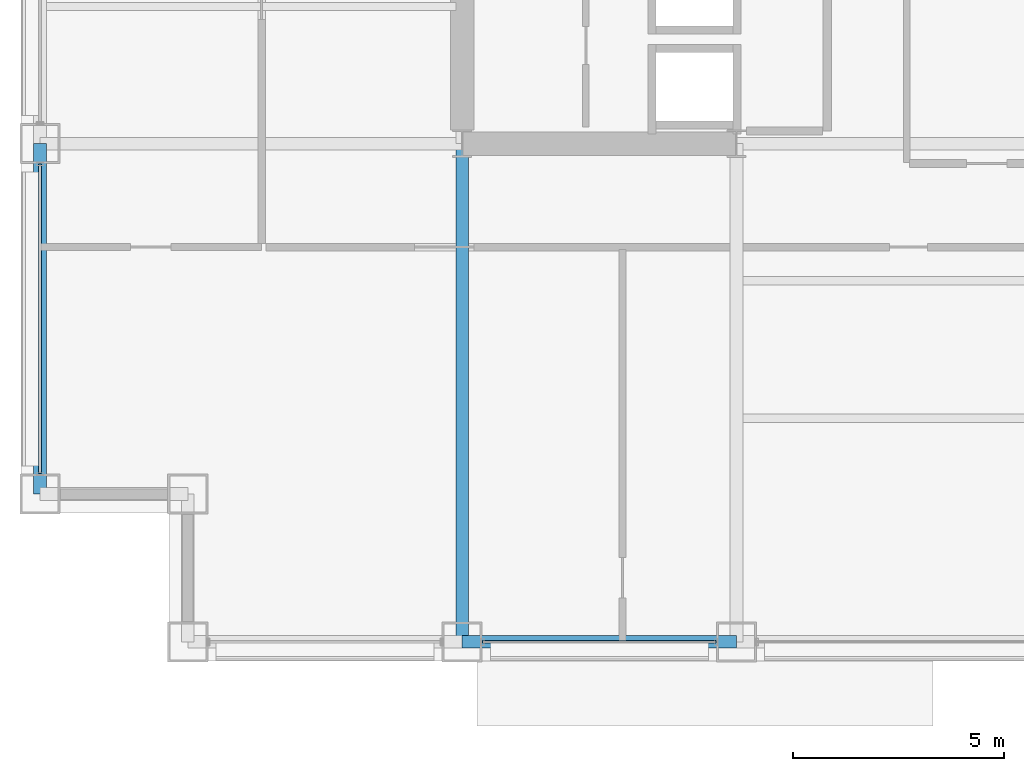
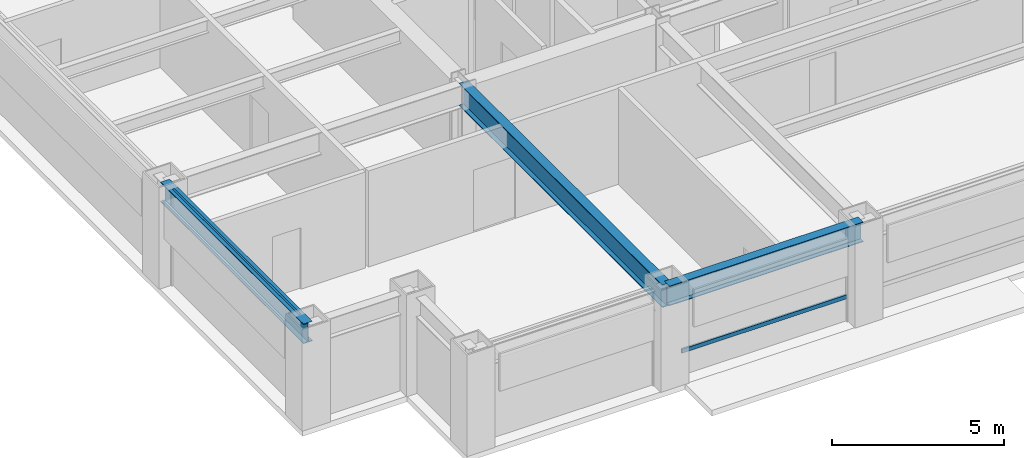
# One storey, part 3 of 28: 3 beams, 2 members, 2 elements without a shape of their own.
"""IFC4 building model written with IfcOpenShell, lengths in metres."""

from ifc_helpers import new_model, si_unit, direction, frame, origin, origin_2d, place, context, subcontext, project, spatial, hollow_rectangle, i_section, extrude, material, layer, layer_set, material_profile, profile_set, type_object, element, aggregate, save


model = new_model("IFC4")

# Units and contexts
model_context = context("Model", 3, precision=1e-05, world=origin(), true_north=direction((0.0, 1.0)))
body_context = subcontext(model_context, "Body", "Model", "MODEL_VIEW")
ifc_project = project(units=[si_unit("LENGTHUNIT", "METRE"), si_unit("AREAUNIT", "SQUARE_METRE"), si_unit("VOLUMEUNIT", "CUBIC_METRE"), si_unit("PLANEANGLEUNIT", "RADIAN"), si_unit("MASSUNIT", "GRAM", prefix="KILO")], contexts=[model_context])

# Site, building, storey
site_placement = place(None, origin())
site = spatial("IfcSite", under=ifc_project, at=site_placement, CompositionType="ELEMENT")
building_placement = place(site_placement, origin())
building = spatial("IfcBuilding", under=site, at=building_placement, Name="Brelmoor Portico Tower", CompositionType="ELEMENT")
storey_placement = place(building_placement, frame((0.0, 0.0, 49.199951171875)))
storey = spatial("IfcBuildingStorey", under=building, at=storey_placement, Name="L12", CompositionType="ELEMENT", Elevation=49.199951171875)

# Beams
ifc_material_1 = material(Name="Steel Q355B", Category="steel")
ifc_material_profile_1 = material_profile(ifc_material_1, i_section(OverallWidth=0.300048828125, OverallDepth=0.800048828125, WebThickness=0.013916015625, FlangeThickness=0.02587890625, at=origin_2d()), Name="HN 800x300x14x26")
ifc_profile_set_1 = profile_set([ifc_material_profile_1], Name="Steel Q355B")
beam_type_1 = type_object("IfcBeamType", Name="BM-PG-800", PredefinedType="BEAM", material=ifc_profile_set_1)
beam_1_placement = place(storey_placement, frame((-14.550048828125, -21.550048828125, 3.0), z_axis=(0.0, 1.0, 0.0), x_axis=(-1.0, 0.0, 0.0)))
element("IfcBeam", 1, at=beam_1_placement, inside=storey, type_object=beam_type_1, Name="L12 Primary Floor Girder PG-03", PredefinedType="BEAM", context=body_context, shape_type="SweptSolid", body=[
    extrude(i_section(OverallWidth=0.300048828125, OverallDepth=0.800048828125, WebThickness=0.013916015625, FlangeThickness=0.02587890625, at=origin_2d()), origin(), (0.0, 0.0, 1.0), 11.800048828125),
])
ifc_material_profile_2 = material_profile(ifc_material_1, i_section(OverallWidth=0.300048828125, OverallDepth=0.699951171875, WebThickness=0.012939453125, FlangeThickness=0.02392578125, at=origin_2d()), Name="HN 700x300x13x24")
ifc_profile_set_2 = profile_set([ifc_material_profile_2], Name="Steel Q355B")
beam_type_2 = type_object("IfcBeamType", Name="BM-SP-700", PredefinedType="SPANDREL", material=ifc_profile_set_2)
beam_2_placement = place(storey_placement, frame((-14.550048828125, -21.550048828125, 3.050048828125), z_axis=(1.0, 0.0, 0.0), x_axis=(0.0, 1.0, 0.0)))
element("IfcBeam", 2, at=beam_2_placement, inside=storey, type_object=beam_type_2, Name="L12 Perimeter Spandrel Beam SP-02", PredefinedType="SPANDREL", context=body_context, shape_type="SweptSolid", body=[
    extrude(i_section(OverallWidth=0.300048828125, OverallDepth=0.699951171875, WebThickness=0.012939453125, FlangeThickness=0.02392578125, at=origin_2d()), origin(), (0.0, 0.0, 1.0), 6.5),
])
beam_3_placement = place(storey_placement, frame((-24.550048828125, -18.050048828125, 3.050048828125), z_axis=(0.0, 1.0, 0.0), x_axis=(-1.0, 0.0, 0.0)))
element("IfcBeam", 3, at=beam_3_placement, inside=storey, type_object=beam_type_2, Name="L12 Perimeter Spandrel Beam SP-15", PredefinedType="SPANDREL", context=body_context, shape_type="SweptSolid", body=[
    extrude(i_section(OverallWidth=0.300048828125, OverallDepth=0.699951171875, WebThickness=0.012939453125, FlangeThickness=0.02392578125, at=origin_2d()), origin(), (0.0, 0.0, 1.0), 8.300048828125),
])

# Curtain wall, member
ifc_material_2 = material(Name="Anodised Aluminium Alloy 6063-T6", Category="aluminium")
ifc_layer_1 = layer(ifc_material_2, 0.179931640625)
ifc_layer_set_1 = layer_set([ifc_layer_1], Name="Anodised Aluminium Alloy 6063-T6")
curtain_wall_type_1 = type_object("IfcCurtainWallType", Name="CW-TOWER-Z1", PredefinedType="NOTDEFINED", material=ifc_layer_set_1)
curtain_wall_1_placement = place(storey_placement, origin())
curtain_wall_1 = element("IfcCurtainWall", 4, at=curtain_wall_1_placement, inside=storey, type_object=curtain_wall_type_1, Name="L12 Curtain Wall CW-L12-01-2", PredefinedType="NOTDEFINED")
ifc_material_profile_3 = material_profile(ifc_material_2, hollow_rectangle(XDim=0.06494140625, YDim=0.139892578125, WallThickness=0.00390625, at=origin_2d()), Name="ALU TRANSOM 65x140")
ifc_profile_set_3 = profile_set([ifc_material_profile_3], Name="Anodised Aluminium Alloy 6063-T6")
member_type = type_object("IfcMemberType", Name="MB-CW-TRAN-140", PredefinedType="USERDEFINED", material=ifc_profile_set_3)
member_1_placement = place(storey_placement, frame((-14.06494140625, -21.550048828125, 0.85009765625), z_axis=(1.0, 0.0, 0.0), x_axis=(0.0, 1.0, 0.0)))
member_1 = element("IfcMember", 5, at=member_1_placement, type_object=member_type, Name="CW-L12-01-2 Transom 1-00", ObjectType="TRANSOM", PredefinedType="USERDEFINED", context=body_context, shape_type="SweptSolid", body=[
    extrude(hollow_rectangle(XDim=0.06494140625, YDim=0.139892578125, WallThickness=0.00390625, at=origin_2d()), origin(), (0.0, 0.0, 1.0), 5.530029296875),
])
aggregate(curtain_wall_1, [member_1])

ifc_layer_2 = layer(ifc_material_2, 0.179931640625)
ifc_layer_set_2 = layer_set([ifc_layer_2], Name="Anodised Aluminium Alloy 6063-T6")
curtain_wall_type_2 = type_object("IfcCurtainWallType", Name="CW-TOWER-Z1-XB", PredefinedType="NOTDEFINED", material=ifc_layer_set_2)
curtain_wall_2_placement = place(storey_placement, origin())
curtain_wall_2 = element("IfcCurtainWall", 6, at=curtain_wall_2_placement, inside=storey, type_object=curtain_wall_type_2, Name="L12 Curtain Wall CW-L12-03-1", PredefinedType="NOTDEFINED")
member_2_placement = place(storey_placement, frame((-24.550048828125, -17.56494140625, 3.330078125), z_axis=(0.0, 1.0, 0.0), x_axis=(-1.0, 0.0, 0.0)))
member_2 = element("IfcMember", 7, at=member_2_placement, type_object=member_type, Name="CW-L12-03-1 Transom 1-00", ObjectType="TRANSOM", PredefinedType="USERDEFINED", context=body_context, shape_type="SweptSolid", body=[
    extrude(hollow_rectangle(XDim=0.06494140625, YDim=0.139892578125, WallThickness=0.00390625, at=origin_2d()), origin(), (0.0, 0.0, 1.0), 7.329833984375),
])
aggregate(curtain_wall_2, [member_2])

save(model, "model.ifc")
